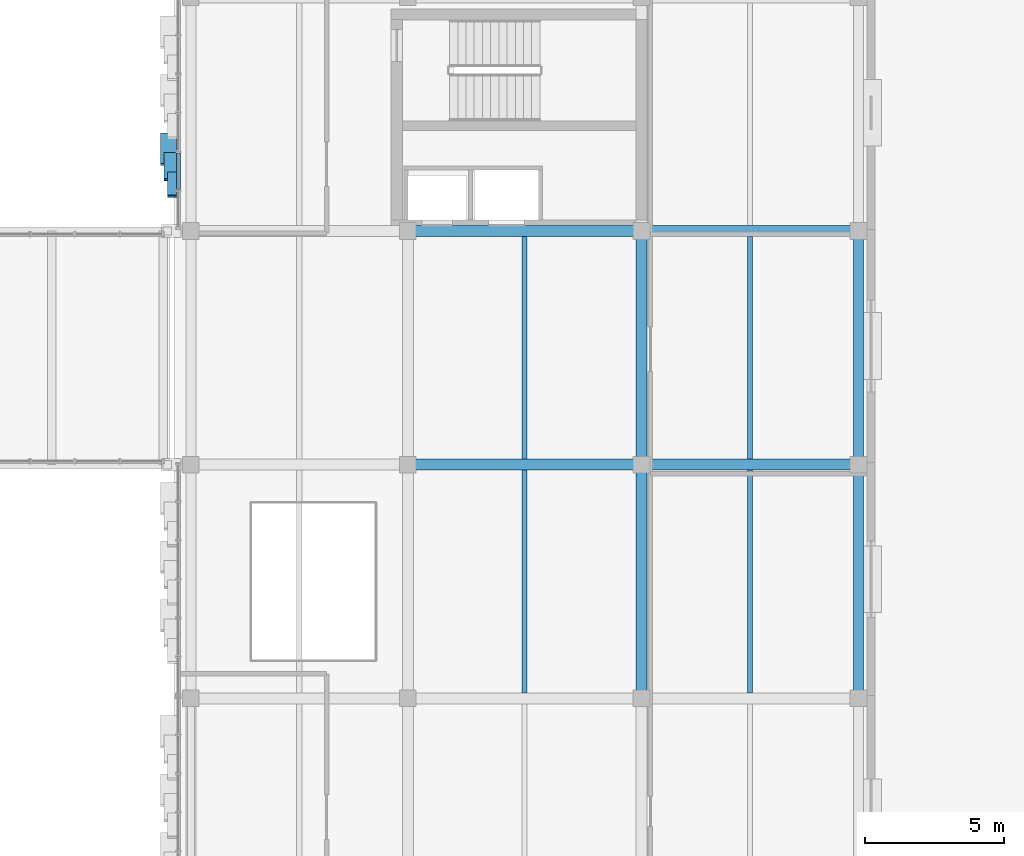
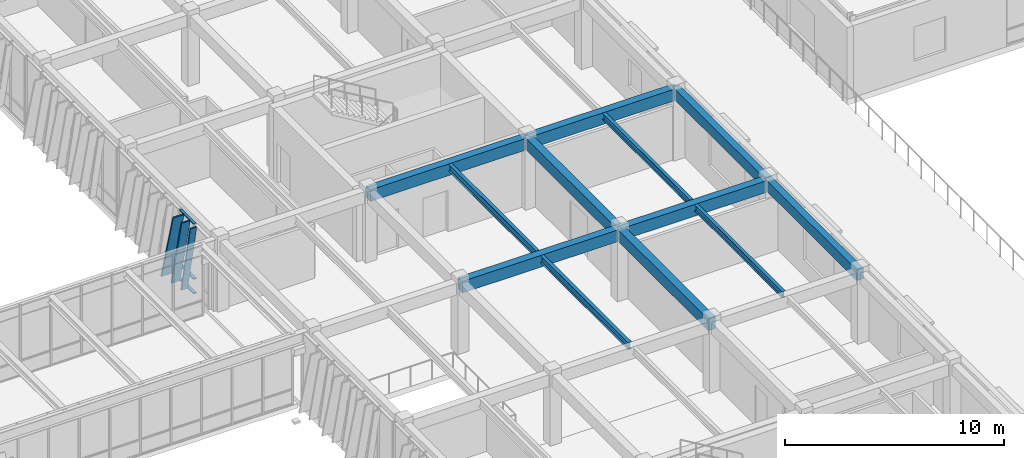
# One storey, part 64 of 127: 12 beams, 6 members, 1 element without a shape of its own.
"""IFC4 building model written with IfcOpenShell, lengths in metres."""

from ifc_helpers import new_model, si_unit, direction, frame, origin, origin_2d, place, context, subcontext, project, spatial, rectangle, hollow_rectangle, i_section, extrude, material, layer, layer_set, material_profile, profile_set, type_object, element, aggregate, save


model = new_model("IFC4")

# Units and contexts
model_context = context("Model", 3, precision=1e-05, world=origin(), true_north=direction((0.0, 1.0)))
body_context = subcontext(model_context, "Body", "Model", "MODEL_VIEW")
ifc_project = project(units=[si_unit("LENGTHUNIT", "METRE"), si_unit("AREAUNIT", "SQUARE_METRE"), si_unit("VOLUMEUNIT", "CUBIC_METRE"), si_unit("PLANEANGLEUNIT", "RADIAN"), si_unit("MASSUNIT", "GRAM", prefix="KILO")], contexts=[model_context])

# Site, building, storey
site_placement = place(None, origin())
site = spatial("IfcSite", under=ifc_project, at=site_placement, CompositionType="ELEMENT")
building_placement = place(site_placement, origin())
building = spatial("IfcBuilding", under=site, at=building_placement, Name="Zayran Congress Hotel", CompositionType="ELEMENT")
storey_placement = place(building_placement, frame((0.0, 0.0, 10.800048828125)))
storey = spatial("IfcBuildingStorey", under=building, at=storey_placement, Name="L02", CompositionType="ELEMENT", Elevation=10.800048828125)

# Beams
ifc_material_1 = material(Name="Concrete C40/50", Category="concrete")
ifc_material_profile_1 = material_profile(ifc_material_1, rectangle(XDim=0.39990234375, YDim=0.64990234375, at=origin_2d()), Name="RC 400x650")
ifc_profile_set_1 = profile_set([ifc_material_profile_1], Name="Concrete C40/50")
beam_type_1 = type_object("IfcBeamType", Name="TP-BM-03", PredefinedType="BEAM", material=ifc_profile_set_1)
beam_1_placement = place(storey_placement, frame((117.60009765625, 76.0, 3.594970703125), z_axis=(1.0, 0.0, 0.0), x_axis=(0.0, 1.0, 0.0)))
element("IfcBeam", 1, at=beam_1_placement, inside=storey, type_object=beam_type_1, Name="BM-V4-L02-1425", PredefinedType="BEAM", context=body_context, shape_type="SweptSolid", body=[
    extrude(rectangle(XDim=0.39990234375, YDim=0.64990234375, at=origin_2d()), origin(), (0.0, 0.0, 1.0), 8.39990234375),
])
beam_2_placement = place(storey_placement, frame((126.0, 76.0, 3.594970703125), z_axis=(1.0, 0.0, 0.0), x_axis=(0.0, 1.0, 0.0)))
element("IfcBeam", 2, at=beam_2_placement, inside=storey, type_object=beam_type_1, Name="BM-V4-L02-1426", PredefinedType="BEAM", context=body_context, shape_type="SweptSolid", body=[
    extrude(rectangle(XDim=0.39990234375, YDim=0.64990234375, at=origin_2d()), origin(), (0.0, 0.0, 1.0), 7.800048828125),
])
beam_3_placement = place(storey_placement, frame((117.60009765625, 84.39990234375, 3.594970703125), z_axis=(1.0, 0.0, 0.0), x_axis=(0.0, 1.0, 0.0)))
element("IfcBeam", 3, at=beam_3_placement, inside=storey, type_object=beam_type_1, Name="BM-V4-L02-1428", PredefinedType="BEAM", context=body_context, shape_type="SweptSolid", body=[
    extrude(rectangle(XDim=0.39990234375, YDim=0.64990234375, at=origin_2d()), origin(), (0.0, 0.0, 1.0), 8.39990234375),
])
beam_4_placement = place(storey_placement, frame((126.0, 84.39990234375, 3.594970703125), z_axis=(1.0, 0.0, 0.0), x_axis=(0.0, 1.0, 0.0)))
element("IfcBeam", 4, at=beam_4_placement, inside=storey, type_object=beam_type_1, Name="BM-V4-L02-1429", PredefinedType="BEAM", context=body_context, shape_type="SweptSolid", body=[
    extrude(rectangle(XDim=0.39990234375, YDim=0.64990234375, at=origin_2d()), origin(), (0.0, 0.0, 1.0), 7.800048828125),
])
for number, where, z_axis, x_axis, name in (
    (5, (126.0, 67.60009765625, 3.594970703125), (0.0, 1.0, 0.0), (-1.0, 0.0, 0.0), "BM-V4-L02-1456"),
    (6, (126.0, 76.0, 3.594970703125), (0.0, 1.0, 0.0), (-1.0, 0.0, 0.0), "BM-V4-L02-1457"),
):
    element("IfcBeam", number, at=place(storey_placement, frame(where, z_axis=z_axis, x_axis=x_axis)), inside=storey, type_object=beam_type_1, Name=name, PredefinedType="BEAM", context=body_context, shape_type="SweptSolid", body=[
        extrude(rectangle(XDim=0.39990234375, YDim=0.64990234375, at=origin_2d()), origin(), (0.0, 0.0, 1.0), 8.39990234375),
    ])
ifc_material_profile_2 = material_profile(ifc_material_1, rectangle(XDim=0.35009765625, YDim=0.60009765625, at=origin_2d()), Name="RC 350x600")
ifc_profile_set_2 = profile_set([ifc_material_profile_2], Name="Concrete C40/50")
beam_type_2 = type_object("IfcBeamType", Name="TP-SP-01", PredefinedType="SPANDREL", material=ifc_profile_set_2)
for number, where, z_axis, x_axis, name in (
    (7, (133.800048828125, 67.60009765625, 3.619873046875), (0.0, 1.0, 0.0), (-1.0, 0.0, 0.0), "BM-V4-L02-1464"),
    (8, (133.800048828125, 76.0, 3.619873046875), (0.0, 1.0, 0.0), (-1.0, 0.0, 0.0), "BM-V4-L02-1465"),
):
    element("IfcBeam", number, at=place(storey_placement, frame(where, z_axis=z_axis, x_axis=x_axis)), inside=storey, type_object=beam_type_2, Name=name, PredefinedType="SPANDREL", context=body_context, shape_type="SweptSolid", body=[
        extrude(rectangle(XDim=0.35009765625, YDim=0.60009765625, at=origin_2d()), origin(), (0.0, 0.0, 1.0), 8.39990234375),
    ])
ifc_material_2 = material(Name="Steel S355", Category="steel")
ifc_material_profile_3 = material_profile(ifc_material_2, i_section(OverallWidth=0.179931640625, OverallDepth=0.39990234375, WebThickness=0.008544921875, FlangeThickness=0.013427734375, at=origin_2d()), Name="IPE 400")
ifc_profile_set_3 = profile_set([ifc_material_profile_3], Name="Steel S355")
beam_type_3 = type_object("IfcBeamType", Name="TP-JS-03", PredefinedType="JOIST", material=ifc_profile_set_3)
for number, where, z_axis, x_axis, name in (
    (9, (121.800048828125, 67.800048828125, 3.719970703125), (0.0, 1.0, 0.0), (-1.0, 0.0, 0.0), "JST-V4-L02-1479"),
    (10, (121.800048828125, 76.199951171875, 3.719970703125), (0.0, 1.0, 0.0), (-1.0, 0.0, 0.0), "JST-V4-L02-1480"),
):
    element("IfcBeam", number, at=place(storey_placement, frame(where, z_axis=z_axis, x_axis=x_axis)), inside=storey, type_object=beam_type_3, Name=name, PredefinedType="JOIST", context=body_context, shape_type="SweptSolid", body=[
        extrude(i_section(OverallWidth=0.179931640625, OverallDepth=0.39990234375, WebThickness=0.008544921875, FlangeThickness=0.013427734375, at=origin_2d()), origin(), (0.0, 0.0, 1.0), 8.0),
    ])
ifc_material_profile_4 = material_profile(ifc_material_2, i_section(OverallWidth=0.169921875, OverallDepth=0.360107421875, WebThickness=0.008056640625, FlangeThickness=0.0126953125, at=origin_2d()), Name="IPE 360")
ifc_profile_set_4 = profile_set([ifc_material_profile_4], Name="Steel S355")
beam_type_4 = type_object("IfcBeamType", Name="TP-JS-04", PredefinedType="JOIST", material=ifc_profile_set_4)
for number, where, z_axis, x_axis, name in (
    (11, (129.89990234375, 67.800048828125, 3.739990234375), (0.0, 1.0, 0.0), (-1.0, 0.0, 0.0), "JST-V4-L02-1486"),
    (12, (129.89990234375, 76.199951171875, 3.739990234375), (0.0, 1.0, 0.0), (-1.0, 0.0, 0.0), "JST-V4-L02-1487"),
):
    element("IfcBeam", number, at=place(storey_placement, frame(where, z_axis=z_axis, x_axis=x_axis)), inside=storey, type_object=beam_type_4, Name=name, PredefinedType="JOIST", context=body_context, shape_type="SweptSolid", body=[
        extrude(i_section(OverallWidth=0.169921875, OverallDepth=0.360107421875, WebThickness=0.008056640625, FlangeThickness=0.0126953125, at=origin_2d()), origin(), (0.0, 0.0, 1.0), 8.0),
    ])

# Curtain wall, members
ifc_material_3 = material(Name="Anodised aluminium and low-E insulated glass", Category="aluminium")
ifc_layer = layer(ifc_material_3, 0.179931640625)
ifc_layer_set = layer_set([ifc_layer], Name="Anodised aluminium and low-E insulated glass")
curtain_wall_type = type_object("IfcCurtainWallType", Name="CW-V4W-L02-CW-53-8371-3920", PredefinedType="USERDEFINED", material=ifc_layer_set)
curtain_wall_placement = place(storey_placement, origin())
curtain_wall = element("IfcCurtainWall", 13, at=curtain_wall_placement, inside=storey, type_object=curtain_wall_type, Name="CW-V4W-L02-5", ObjectType="CURTAIN WALL", PredefinedType="USERDEFINED")
ifc_material_4 = material(Name="Anodised aluminium framing", Category="aluminium")
ifc_material_profile_5 = material_profile(ifc_material_4, hollow_rectangle(XDim=0.06005859375, YDim=0.14990234375, WallThickness=0.00390625, at=origin_2d()), Name="RHS 150x60x4")
ifc_profile_set_5 = profile_set([ifc_material_profile_5], Name="Anodised aluminium framing")
member_type_1 = type_object("IfcMemberType", Name="TP-CWT-01", PredefinedType="USERDEFINED", material=ifc_profile_set_5)
member_1_placement = place(storey_placement, frame((109.35009765625, 87.211181640625, 0.030029296875), z_axis=(0.0, -1.0, 0.0), x_axis=(0.0, 0.0, 1.0)))
member_1 = element("IfcMember", 14, at=member_1_placement, type_object=member_type_1, Name="CW-V4W-L02-5-T04-0", ObjectType="TRANSOM", PredefinedType="USERDEFINED", context=body_context, shape_type="SweptSolid", body=[
    extrude(hollow_rectangle(XDim=0.06005859375, YDim=0.14990234375, WallThickness=0.00390625, at=origin_2d()), origin(), (0.0, 0.0, 1.0), 1.31494140625),
])
member_2_placement = place(storey_placement, frame((109.35009765625, 87.211181640625, 0.83984375), z_axis=(0.0, -1.0, 0.0), x_axis=(0.0, 0.0, 1.0)))
member_2 = element("IfcMember", 15, at=member_2_placement, type_object=member_type_1, Name="CW-V4W-L02-5-T04-1", ObjectType="TRANSOM", PredefinedType="USERDEFINED", context=body_context, shape_type="SweptSolid", body=[
    extrude(hollow_rectangle(XDim=0.06005859375, YDim=0.14990234375, WallThickness=0.00390625, at=origin_2d()), origin(), (0.0, 0.0, 1.0), 1.31494140625),
])
member_3_placement = place(storey_placement, frame((109.35009765625, 87.211181640625, 3.889892578125), z_axis=(0.0, -1.0, 0.0), x_axis=(0.0, 0.0, 1.0)))
member_3 = element("IfcMember", 16, at=member_3_placement, type_object=member_type_1, Name="CW-V4W-L02-5-T04-2", ObjectType="TRANSOM", PredefinedType="USERDEFINED", context=body_context, shape_type="SweptSolid", body=[
    extrude(hollow_rectangle(XDim=0.06005859375, YDim=0.14990234375, WallThickness=0.00390625, at=origin_2d()), origin(), (0.0, 0.0, 1.0), 1.31494140625),
])
ifc_material_5 = material(Name="Warm bronze anodised aluminium", Category="aluminium")
ifc_material_profile_6 = material_profile(ifc_material_5, hollow_rectangle(XDim=0.080078125, YDim=0.580078125, WallThickness=0.006103515625, at=origin_2d()), Name="RHS 580x80x6")
ifc_profile_set_6 = profile_set([ifc_material_profile_6], Name="Warm bronze anodised aluminium")
member_type_2 = type_object("IfcMemberType", Name="TP-RFN-01", PredefinedType="MULLION", material=ifc_profile_set_6)
member_4_placement = place(storey_placement, frame((109.0, 87.882080078125, 0.0), z_axis=(0.0, -0.267253820088, 0.963626170072), x_axis=(0.0, 0.963626170072, 0.267253820088)))
member_4 = element("IfcMember", 17, at=member_4_placement, type_object=member_type_2, Name="Slanting Reed Mullion CW-53-07", PredefinedType="MULLION", context=body_context, shape_type="SweptSolid", body=[
    extrude(hollow_rectangle(XDim=0.080078125, YDim=0.580078125, WallThickness=0.006103515625, at=origin_2d()), origin(), (0.0, 0.0, 1.0), 4.06787109375),
])
ifc_material_profile_7 = material_profile(ifc_material_5, hollow_rectangle(XDim=0.080078125, YDim=0.449951171875, WallThickness=0.006103515625, at=origin_2d()), Name="RHS 450x80x6")
ifc_profile_set_7 = profile_set([ifc_material_profile_7], Name="Warm bronze anodised aluminium")
member_type_3 = type_object("IfcMemberType", Name="TP-RFN-02", PredefinedType="MULLION", material=ifc_profile_set_7)
member_5_placement = place(storey_placement, frame((109.06494140625, 87.181884765625, 0.0), z_axis=(0.0, -0.233405019846, 0.972379605252), x_axis=(0.0, 0.972379605252, 0.233405019846)))
member_5 = element("IfcMember", 18, at=member_5_placement, type_object=member_type_3, Name="Slanting Reed Mullion CW-53-08", PredefinedType="MULLION", context=body_context, shape_type="SweptSolid", body=[
    extrude(hollow_rectangle(XDim=0.080078125, YDim=0.449951171875, WallThickness=0.006103515625, at=origin_2d()), origin(), (0.0, 0.0, 1.0), 4.03125),
])
ifc_material_profile_8 = material_profile(ifc_material_5, hollow_rectangle(XDim=0.080078125, YDim=0.340087890625, WallThickness=0.006103515625, at=origin_2d()), Name="RHS 340x80x6")
ifc_profile_set_8 = profile_set([ifc_material_profile_8], Name="Warm bronze anodised aluminium")
member_type_4 = type_object("IfcMemberType", Name="TP-RFN-03", PredefinedType="MULLION", material=ifc_profile_set_8)
member_6_placement = place(storey_placement, frame((109.1201171875, 86.48193359375, 0.0), z_axis=(0.0, -0.207922873001, 0.978145223821), x_axis=(0.0, 0.978145223821, 0.207922873001)))
member_6 = element("IfcMember", 19, at=member_6_placement, type_object=member_type_4, Name="Slanting Reed Mullion CW-53-09", PredefinedType="MULLION", context=body_context, shape_type="SweptSolid", body=[
    extrude(hollow_rectangle(XDim=0.080078125, YDim=0.340087890625, WallThickness=0.006103515625, at=origin_2d()), origin(), (0.0, 0.0, 1.0), 4.007568359375),
])
aggregate(curtain_wall, [member_1, member_2, member_3, member_4, member_5, member_6])

save(model, "model.ifc")
